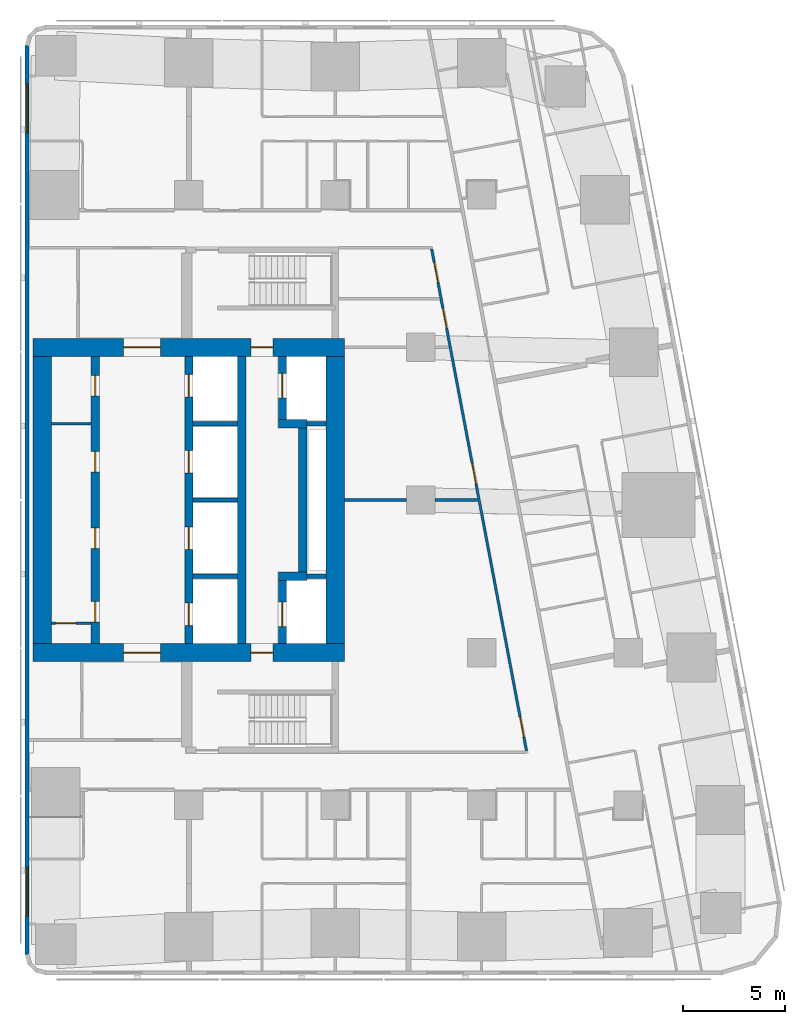
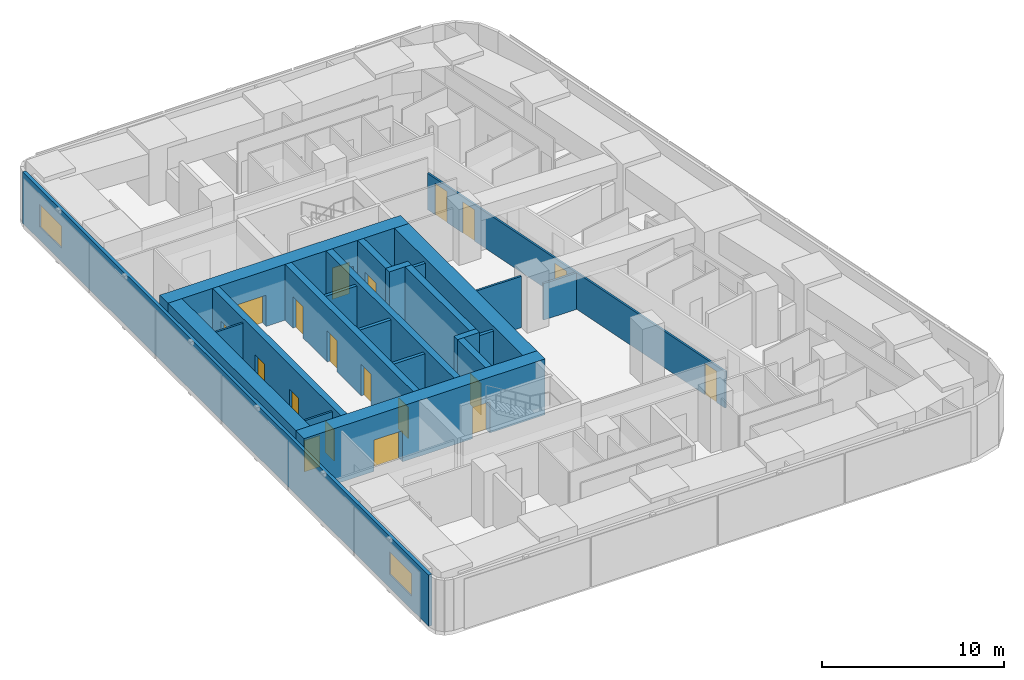
# One storey, part 4 of 10: 23 walls, 19 doors, 2 windows, 21 openings.
"""IFC4 building model written with IfcOpenShell, lengths in metres."""

import ifcopenshell
import ifcopenshell.guid

model = None  # the IFC model being written
_history = None  # IfcOwnerHistory: only IFC2X3 demands one
_inside = {}  # id of a spatial element -> (the spatial element, [elements in it])
_under = {}  # id of a project, library or spatial element -> (it, [spatial elements below it])
_declared = {}  # id of a project -> (the project, [libraries it declares])
_typed = {}  # id of a type object -> (the type object, [elements of that type])
_made_of = {}  # id of a material, layer set ... -> (it, [elements and type objects made of it])


def new_model(schema):
    """Start an empty IFC model of exactly this schema.

    Asked for "IFC4X3", IfcOpenShell would pick the latest addendum, in which some entities
    have other attributes; the version numbers below select the first issue.
    IFC2X3 requires an IfcOwnerHistory on every rooted entity: one is made here for all.
    """
    global model, _history
    if schema == "IFC4X3":
        model = ifcopenshell.file(schema_version=(4, 3, 0, 0))
    else:
        model = ifcopenshell.file(schema=schema)
    _inside.clear()
    _under.clear()
    _declared.clear()
    _typed.clear()
    _made_of.clear()
    _history = None
    if model.schema == "IFC2X3":
        org = make("IfcOrganization", Name="unknown")
        user = make(
            "IfcPersonAndOrganization",
            ThePerson=make("IfcPerson", FamilyName="unknown"),
            TheOrganization=org,
        )
        app = make(
            "IfcApplication",
            ApplicationDeveloper=org,
            Version="unknown",
            ApplicationFullName="unknown",
            ApplicationIdentifier="unknown",
        )
        _history = make(
            "IfcOwnerHistory",
            OwningUser=user,
            OwningApplication=app,
            ChangeAction="ADDED",
            CreationDate=0,
        )
    return model


def make(cls, **values):
    """One entity of the class cls with the attributes given. An attribute that is None is left unset."""
    return model.create_entity(
        cls, **{name: value for name, value in values.items() if value is not None}
    )


def rooted(cls, **values):
    """An entity with a GlobalId (a new one), such as an element, a storey or a relation."""
    return make(cls, GlobalId=ifcopenshell.guid.new(), OwnerHistory=_history, **values)


def si_unit(unit_type, name, prefix=None):
    """IfcSIUnit, for example si_unit("LENGTHUNIT", "METRE", prefix="MILLI")."""
    return make("IfcSIUnit", UnitType=unit_type, Prefix=prefix, Name=name)


def assignment(units):
    """IfcUnitAssignment: the units of a project."""
    return None if units is None else make("IfcUnitAssignment", Units=units)


def point(xyz):
    """IfcCartesianPoint."""
    return None if xyz is None else make("IfcCartesianPoint", Coordinates=xyz)


def direction(xyz):
    """IfcDirection."""
    return None if xyz is None else make("IfcDirection", DirectionRatios=xyz)


def frame(location, z_axis=None, x_axis=None):
    """IfcAxis2Placement3D, a coordinate frame: its origin and axes. An axis left out is left unset."""
    return make(
        "IfcAxis2Placement3D",
        Location=point(location),
        Axis=direction(z_axis),
        RefDirection=direction(x_axis),
    )


def frame_2d(location, x_axis=None):
    """IfcAxis2Placement2D, a coordinate frame in the plane: its origin and x axis."""
    return make(
        "IfcAxis2Placement2D", Location=point(location), RefDirection=direction(x_axis)
    )


def origin():
    """The frame at (0, 0, 0) with its axes left unset."""
    return frame((0.0, 0.0, 0.0))


def place(relative_to, where):
    """IfcLocalPlacement: puts the frame where relative to a parent placement (None: the world)."""
    return make(
        "IfcLocalPlacement", PlacementRelTo=relative_to, RelativePlacement=where
    )


def context(
    kind, dimensions, precision=None, world=None, true_north=None, identifier=None
):
    """IfcGeometricRepresentationContext, for example the 3D "Model" context."""
    return make(
        "IfcGeometricRepresentationContext",
        ContextIdentifier=identifier,
        ContextType=kind,
        CoordinateSpaceDimension=dimensions,
        Precision=precision,
        WorldCoordinateSystem=world,
        TrueNorth=true_north,
    )


def subcontext(parent, identifier, kind, view, scale=None):
    """IfcGeometricRepresentationSubContext, for example "Body" below "Model"."""
    return make(
        "IfcGeometricRepresentationSubContext",
        ContextIdentifier=identifier,
        ContextType=kind,
        ParentContext=parent,
        TargetScale=scale,
        TargetView=view,
    )


def project(units=None, contexts=None):
    """IfcProject with its units and contexts."""
    return rooted(
        "IfcProject",
        Name="project",
        RepresentationContexts=contexts,
        UnitsInContext=assignment(units),
    )


def spatial(cls, under=None, at=None, **own):
    """A site, building, storey or space (cls), placed at a placement, below another one or the project."""
    s = rooted(cls, ObjectPlacement=at, **own)
    if under is not None:
        _under.setdefault(under.id(), (under, []))[1].append(s)
    return s


def profile(cls, at=None, kind="AREA", **sizes):
    """A parametric profile (cls). Its sizes go by their IFC names, for example OverallWidth=200.0."""
    return make(cls, ProfileType=kind, Position=at, **sizes)


def rectangle(**sizes):
    """IfcRectangleProfileDef."""
    return profile("IfcRectangleProfileDef", **sizes)


def extrude(swept, where, along, depth):
    """IfcExtrudedAreaSolid: the profile swept, set in the frame where, extruded along a direction by depth."""
    return make(
        "IfcExtrudedAreaSolid",
        SweptArea=swept,
        Position=where,
        ExtrudedDirection=direction(along),
        Depth=depth,
    )


def shape(context_of_items, identifier, shape_type, items):
    """IfcShapeRepresentation: the items that make up one representation, for example the "Body"."""
    return make(
        "IfcShapeRepresentation",
        ContextOfItems=context_of_items,
        RepresentationIdentifier=identifier,
        RepresentationType=shape_type,
        Items=items,
    )


def material(Name=None, Category=None):
    """IfcMaterial."""
    return make("IfcMaterial", Name=Name, Category=Category)


def layer(
    of_material, thickness, ventilated=None, Name=None, Category=None, Priority=None
):
    """IfcMaterialLayer: one layer of a wall or slab, of a material (None: an air gap)."""
    return make(
        "IfcMaterialLayer",
        Material=of_material,
        LayerThickness=thickness,
        IsVentilated=ventilated,
        Name=Name,
        Category=Category,
        Priority=Priority,
    )


def layer_set(layers, Name=None):
    """IfcMaterialLayerSet."""
    return make("IfcMaterialLayerSet", MaterialLayers=layers, LayerSetName=Name)


def made_of(thing, what):
    """Note that an element or type object is made of a material, layer set ...; save() writes the relation."""
    if what is not None:
        _made_of.setdefault(what.id(), (what, []))[1].append(thing)
    return thing


def type_object(cls, material=None, **own):
    """A type object (cls), such as IfcWallType, which elements share."""
    return made_of(rooted(cls, **own), material)


def element(
    cls,
    number,
    at=None,
    inside=None,
    cuts=None,
    type_object=None,
    material=None,
    context=None,
    identifier="Body",
    shape_type=None,
    held_by="IfcProductDefinitionShape",
    body=None,
    shapes=None,
    **own,
):
    """One element of the class cls, such as IfcWall. Its Tag is "e" and its number.

    at: its placement. inside: the storey or other place that contains it. cuts: it is an
    opening in that element (IfcRelVoidsElement). A single representation is given by context,
    identifier, shape_type and body (its items); several are given by shapes. held_by: the class
    of the entity that holds the representations. save() writes the other relations.
    """
    e = rooted(cls, Tag="e%d" % number, ObjectPlacement=at, **own)
    if body is not None:
        shapes = [shape(context, identifier, shape_type, body)]
    if shapes is not None:
        e.Representation = make(held_by, Representations=shapes)
    if inside is not None:
        _inside.setdefault(inside.id(), (inside, []))[1].append(e)
    if cuts is not None:
        rooted(
            "IfcRelVoidsElement", RelatingBuildingElement=cuts, RelatedOpeningElement=e
        )
    if type_object is not None:
        _typed.setdefault(type_object.id(), (type_object, []))[1].append(e)
    return made_of(e, material)


def fill(opening, filler):
    """IfcRelFillsElement: the door or window that sits in an opening."""
    return rooted(
        "IfcRelFillsElement",
        RelatingOpeningElement=opening,
        RelatedBuildingElement=filler,
    )


def aggregate(whole, parts):
    """IfcRelAggregates: a whole, such as a stair, and the parts it consists of."""
    return rooted("IfcRelAggregates", RelatingObject=whole, RelatedObjects=parts)


def save(model, path):
    """Write the relations noted so far, then the file.

    IfcRelAggregates (storeys below a building ...), IfcRelContainedInSpatialStructure (elements
    in a storey), IfcRelDefinesByType, IfcRelAssociatesMaterial and IfcRelDeclares: one each for
    every whole, place, type object, material and project.
    """
    for whole, parts in _under.values():
        aggregate(whole, parts)
    for where, things in _inside.values():
        rooted(
            "IfcRelContainedInSpatialStructure",
            RelatedElements=things,
            RelatingStructure=where,
        )
    for kind, things in _typed.values():
        rooted("IfcRelDefinesByType", RelatedObjects=things, RelatingType=kind)
    for what, things in _made_of.values():
        rooted("IfcRelAssociatesMaterial", RelatedObjects=things, RelatingMaterial=what)
    for by, libraries in _declared.values():
        rooted("IfcRelDeclares", RelatingContext=by, RelatedDefinitions=libraries)
    model.write(path)


model = new_model("IFC4")

# Units and contexts
model_context = context("Model", 3, precision=1e-05, world=origin(), true_north=direction((0.0, 1.0)))
body_context = subcontext(model_context, "Body", "Model", "MODEL_VIEW")
ifc_project = project(units=[si_unit("LENGTHUNIT", "METRE"), si_unit("AREAUNIT", "SQUARE_METRE"), si_unit("VOLUMEUNIT", "CUBIC_METRE"), si_unit("PLANEANGLEUNIT", "RADIAN"), si_unit("MASSUNIT", "GRAM", prefix="KILO")], contexts=[model_context])

# Site, building, storey
site_placement = place(None, origin())
site = spatial("IfcSite", under=ifc_project, at=site_placement, CompositionType="ELEMENT")
building_placement = place(site_placement, origin())
building = spatial("IfcBuilding", under=site, at=building_placement, Name="Sheger Commons Tower", CompositionType="ELEMENT")
storey_placement = place(building_placement, frame((0.0, 0.0, 242.449951171875)))
storey = spatial("IfcBuildingStorey", under=building, at=storey_placement, Name="L62", CompositionType="ELEMENT", Elevation=242.449951171875)

# Wall, openings, doors
ifc_material_1 = material(Name="Concrete C50/60", Category="concrete")
ifc_layer_1 = layer(ifc_material_1, 0.39990234375)
ifc_layer_set_1 = layer_set([ifc_layer_1], Name="CORE INNER WALL 400")
wall_type_1 = type_object("IfcWallType", Name="CORE INNER WALL 400", PredefinedType="SHEAR", material=ifc_layer_set_1)
wall_1_placement = place(storey_placement, frame((17.0, 15.449951171875, 0.0), z_axis=(0.0, 0.0, 1.0), x_axis=(0.0, 1.0, 0.0)))
wall_1 = element("IfcWall", 1, at=wall_1_placement, inside=storey, type_object=wall_type_1, Name="Core inner wall A L62", PredefinedType="SHEAR", context=body_context, shape_type="SweptSolid", body=[
    extrude(rectangle(XDim=14.10009765625, YDim=0.39990234375, at=frame_2d((7.050048828125, 0.0))), origin(), (0.0, 0.0, 1.0), 3.75),
])
opening_1_placement = place(wall_1_placement, frame((1.050048828125, 0.0, 0.0)))
opening_1 = element("IfcOpeningElement", 2, at=opening_1_placement, cuts=wall_1, Name="Opening D4", PredefinedType="OPENING", context=body_context, shape_type="SweptSolid", body=[
    extrude(rectangle(XDim=1.0, YDim=2.10009765625, at=frame_2d((0.5, 1.050048828125))), frame((0.0, 0.2099609375, 0.0), z_axis=(0.0, -1.0, 0.0), x_axis=(1.0, 0.0, 0.0)), (0.0, 0.0, 1.0), 0.419921875),
])
opening_2_placement = place(wall_1_placement, frame((4.675048828125, 0.0, 0.0)))
opening_2 = element("IfcOpeningElement", 3, at=opening_2_placement, cuts=wall_1, Name="Opening D4", PredefinedType="OPENING", context=body_context, shape_type="SweptSolid", body=[
    extrude(rectangle(XDim=1.0, YDim=2.10009765625, at=frame_2d((0.5, 1.050048828125))), frame((0.0, 0.2099609375, 0.0), z_axis=(0.0, -1.0, 0.0), x_axis=(1.0, 0.0, 0.0)), (0.0, 0.0, 1.0), 0.419921875),
])
opening_3_placement = place(wall_1_placement, frame((8.425048828125, 0.0, 0.0)))
opening_3 = element("IfcOpeningElement", 4, at=opening_3_placement, cuts=wall_1, Name="Opening D4", PredefinedType="OPENING", context=body_context, shape_type="SweptSolid", body=[
    extrude(rectangle(XDim=1.0, YDim=2.10009765625, at=frame_2d((0.5, 1.050048828125))), frame((0.0, 0.2099609375, 0.0), z_axis=(0.0, -1.0, 0.0), x_axis=(1.0, 0.0, 0.0)), (0.0, 0.0, 1.0), 0.419921875),
])
opening_4_placement = place(wall_1_placement, frame((12.175048828125, 0.0, 0.0)))
opening_4 = element("IfcOpeningElement", 5, at=opening_4_placement, cuts=wall_1, Name="Opening D4", PredefinedType="OPENING", context=body_context, shape_type="SweptSolid", body=[
    extrude(rectangle(XDim=1.0, YDim=2.10009765625, at=frame_2d((0.5, 1.050048828125))), frame((0.0, 0.2099609375, 0.0), z_axis=(0.0, -1.0, 0.0), x_axis=(1.0, 0.0, 0.0)), (0.0, 0.0, 1.0), 0.419921875),
])
ifc_material_2 = material(Name="Steel door set, fire rated", Category="steel")
door_type_1 = type_object("IfcDoorType", Name="SERVICE DOOR 1000x2100", OperationType="NOTDEFINED", PredefinedType="DOOR", material=ifc_material_2)
door_1_placement = place(opening_1_placement, origin())
door_1 = element("IfcDoor", 6, at=door_1_placement, inside=storey, type_object=door_type_1, Name="Maintenance store door", OperationType="SINGLE_SWING_LEFT", OverallHeight=2.10009765625, OverallWidth=1.0, PredefinedType="DOOR", context=body_context, shape_type="SweptSolid", body=[
    extrude(rectangle(XDim=1.0, YDim=2.10009765625, at=frame_2d((0.5, 1.050048828125))), frame((0.0, 0.02490234375, 0.0), z_axis=(0.0, -1.0, 0.0), x_axis=(1.0, 0.0, 0.0)), (0.0, 0.0, 1.0), 0.050048828125),
])
fill(opening_1, door_1)
door_2_placement = place(opening_2_placement, origin())
door_2 = element("IfcDoor", 7, at=door_2_placement, inside=storey, type_object=door_type_1, Name="Maintenance store door", OperationType="SINGLE_SWING_LEFT", OverallHeight=2.10009765625, OverallWidth=1.0, PredefinedType="DOOR", context=body_context, shape_type="SweptSolid", body=[
    extrude(rectangle(XDim=1.0, YDim=2.10009765625, at=frame_2d((0.5, 1.050048828125))), frame((0.0, 0.02490234375, 0.0), z_axis=(0.0, -1.0, 0.0), x_axis=(1.0, 0.0, 0.0)), (0.0, 0.0, 1.0), 0.050048828125),
])
fill(opening_2, door_2)
door_3_placement = place(opening_3_placement, origin())
door_3 = element("IfcDoor", 8, at=door_3_placement, inside=storey, type_object=door_type_1, Name="Maintenance store door", OperationType="SINGLE_SWING_RIGHT", OverallHeight=2.10009765625, OverallWidth=1.0, PredefinedType="DOOR", context=body_context, shape_type="SweptSolid", body=[
    extrude(rectangle(XDim=1.0, YDim=2.10009765625, at=frame_2d((0.5, 1.050048828125))), frame((0.0, 0.02490234375, 0.0), z_axis=(0.0, -1.0, 0.0), x_axis=(1.0, 0.0, 0.0)), (0.0, 0.0, 1.0), 0.050048828125),
])
fill(opening_3, door_3)
door_4_placement = place(opening_4_placement, origin())
door_4 = element("IfcDoor", 9, at=door_4_placement, inside=storey, type_object=door_type_1, Name="Staff WC door", OperationType="SINGLE_SWING_RIGHT", OverallHeight=2.10009765625, OverallWidth=1.0, PredefinedType="DOOR", context=body_context, shape_type="SweptSolid", body=[
    extrude(rectangle(XDim=1.0, YDim=2.10009765625, at=frame_2d((0.5, 1.050048828125))), frame((0.0, 0.02490234375, 0.0), z_axis=(0.0, -1.0, 0.0), x_axis=(1.0, 0.0, 0.0)), (0.0, 0.0, 1.0), 0.050048828125),
])
fill(opening_4, door_4)

wall_2_placement = place(storey_placement, frame((21.60009765625, 15.449951171875, 0.0), z_axis=(0.0, 0.0, 1.0), x_axis=(0.0, 1.0, 0.0)))
wall_2 = element("IfcWall", 10, at=wall_2_placement, inside=storey, type_object=wall_type_1, Name="Core inner wall L L62", PredefinedType="SHEAR", context=body_context, shape_type="SweptSolid", body=[
    extrude(rectangle(XDim=14.10009765625, YDim=0.39990234375, at=frame_2d((7.050048828125, 0.0))), origin(), (0.0, 0.0, 1.0), 3.75),
])
opening_5_placement = place(wall_2_placement, frame((0.875, 0.0, 0.0)))
opening_5 = element("IfcOpeningElement", 11, at=opening_5_placement, cuts=wall_2, Name="Opening LD", PredefinedType="OPENING", context=body_context, shape_type="SweptSolid", body=[
    extrude(rectangle(XDim=1.10009765625, YDim=2.10009765625, at=frame_2d((0.550048828125, 1.050048828125))), frame((0.0, 0.2099609375, 0.0), z_axis=(0.0, -1.0, 0.0), x_axis=(1.0, 0.0, 0.0)), (0.0, 0.0, 1.0), 0.419921875),
])
opening_6_placement = place(wall_2_placement, frame((4.625, 0.0, 0.0)))
opening_6 = element("IfcOpeningElement", 12, at=opening_6_placement, cuts=wall_2, Name="Opening LD", PredefinedType="OPENING", context=body_context, shape_type="SweptSolid", body=[
    extrude(rectangle(XDim=1.10009765625, YDim=2.10009765625, at=frame_2d((0.550048828125, 1.050048828125))), frame((0.0, 0.2099609375, 0.0), z_axis=(0.0, -1.0, 0.0), x_axis=(1.0, 0.0, 0.0)), (0.0, 0.0, 1.0), 0.419921875),
])
opening_7_placement = place(wall_2_placement, frame((8.375, 0.0, 0.0)))
opening_7 = element("IfcOpeningElement", 13, at=opening_7_placement, cuts=wall_2, Name="Opening LD", PredefinedType="OPENING", context=body_context, shape_type="SweptSolid", body=[
    extrude(rectangle(XDim=1.10009765625, YDim=2.10009765625, at=frame_2d((0.550048828125, 1.050048828125))), frame((0.0, 0.2099609375, 0.0), z_axis=(0.0, -1.0, 0.0), x_axis=(1.0, 0.0, 0.0)), (0.0, 0.0, 1.0), 0.419921875),
])
opening_8_placement = place(wall_2_placement, frame((12.125, 0.0, 0.0)))
opening_8 = element("IfcOpeningElement", 14, at=opening_8_placement, cuts=wall_2, Name="Opening LD", PredefinedType="OPENING", context=body_context, shape_type="SweptSolid", body=[
    extrude(rectangle(XDim=1.10009765625, YDim=2.10009765625, at=frame_2d((0.550048828125, 1.050048828125))), frame((0.0, 0.2099609375, 0.0), z_axis=(0.0, -1.0, 0.0), x_axis=(1.0, 0.0, 0.0)), (0.0, 0.0, 1.0), 0.419921875),
])
ifc_material_3 = material(Name="Steel door set, fire rated", Category="steel")
door_type_2 = type_object("IfcDoorType", Name="LIFT LANDING DOOR 1100x2100", OperationType="DOUBLE_DOOR_SLIDING", PredefinedType="DOOR", material=ifc_material_3)
door_5_placement = place(opening_5_placement, origin())
door_5 = element("IfcDoor", 15, at=door_5_placement, inside=storey, type_object=door_type_2, Name="Lift LB1 landing door", OperationType="DOUBLE_DOOR_SLIDING", OverallHeight=2.10009765625, OverallWidth=1.10009765625, PredefinedType="DOOR", context=body_context, shape_type="SweptSolid", body=[
    extrude(rectangle(XDim=1.10009765625, YDim=2.10009765625, at=frame_2d((0.550048828125, 1.050048828125))), frame((0.0, 0.02490234375, 0.0), z_axis=(0.0, -1.0, 0.0), x_axis=(1.0, 0.0, 0.0)), (0.0, 0.0, 1.0), 0.050048828125),
])
fill(opening_5, door_5)
door_6_placement = place(opening_6_placement, origin())
door_6 = element("IfcDoor", 16, at=door_6_placement, inside=storey, type_object=door_type_2, Name="Lift LB2 landing door", OperationType="DOUBLE_DOOR_SLIDING", OverallHeight=2.10009765625, OverallWidth=1.10009765625, PredefinedType="DOOR", context=body_context, shape_type="SweptSolid", body=[
    extrude(rectangle(XDim=1.10009765625, YDim=2.10009765625, at=frame_2d((0.550048828125, 1.050048828125))), frame((0.0, 0.02490234375, 0.0), z_axis=(0.0, -1.0, 0.0), x_axis=(1.0, 0.0, 0.0)), (0.0, 0.0, 1.0), 0.050048828125),
])
fill(opening_6, door_6)
door_7_placement = place(opening_7_placement, origin())
door_7 = element("IfcDoor", 17, at=door_7_placement, inside=storey, type_object=door_type_2, Name="Lift LB3 landing door", OperationType="DOUBLE_DOOR_SLIDING", OverallHeight=2.10009765625, OverallWidth=1.10009765625, PredefinedType="DOOR", context=body_context, shape_type="SweptSolid", body=[
    extrude(rectangle(XDim=1.10009765625, YDim=2.10009765625, at=frame_2d((0.550048828125, 1.050048828125))), frame((0.0, 0.02490234375, 0.0), z_axis=(0.0, -1.0, 0.0), x_axis=(1.0, 0.0, 0.0)), (0.0, 0.0, 1.0), 0.050048828125),
])
fill(opening_7, door_7)
door_8_placement = place(opening_8_placement, origin())
door_8 = element("IfcDoor", 18, at=door_8_placement, inside=storey, type_object=door_type_2, Name="Lift LB4 landing door", OperationType="DOUBLE_DOOR_SLIDING", OverallHeight=2.10009765625, OverallWidth=1.10009765625, PredefinedType="DOOR", context=body_context, shape_type="SweptSolid", body=[
    extrude(rectangle(XDim=1.10009765625, YDim=2.10009765625, at=frame_2d((0.550048828125, 1.050048828125))), frame((0.0, 0.02490234375, 0.0), z_axis=(0.0, -1.0, 0.0), x_axis=(1.0, 0.0, 0.0)), (0.0, 0.0, 1.0), 0.050048828125),
])
fill(opening_8, door_8)

# Wall
wall_3_placement = place(storey_placement, frame((24.199951171875, 15.449951171875, 0.0), z_axis=(0.0, 0.0, 1.0), x_axis=(0.0, 1.0, 0.0)))
element("IfcWall", 19, at=wall_3_placement, inside=storey, type_object=wall_type_1, Name="Core inner wall B L62", PredefinedType="SHEAR", context=body_context, shape_type="SweptSolid", body=[
    extrude(rectangle(XDim=14.10009765625, YDim=0.39990234375, at=frame_2d((7.050048828125, 0.0))), origin(), (0.0, 0.0, 1.0), 3.75),
])

# Wall, opening, door
wall_4_placement = place(storey_placement, frame((26.199951171875, 15.449951171875, 0.0), z_axis=(0.0, 0.0, 1.0), x_axis=(0.0, 1.0, 0.0)))
wall_4 = element("IfcWall", 20, at=wall_4_placement, inside=storey, type_object=wall_type_1, Name="Core inner wall F L62", PredefinedType="SHEAR", context=body_context, shape_type="SweptSolid", body=[
    extrude(rectangle(XDim=3.10009765625, YDim=0.39990234375, at=frame_2d((1.550048828125, 0.0))), origin(), (0.0, 0.0, 1.0), 3.75),
])
opening_9_placement = place(wall_4_placement, frame((0.824951171875, 0.0, 0.0)))
opening_9 = element("IfcOpeningElement", 21, at=opening_9_placement, cuts=wall_4, Name="Opening LD2", PredefinedType="OPENING", context=body_context, shape_type="SweptSolid", body=[
    extrude(rectangle(XDim=1.199951171875, YDim=2.10009765625, at=frame_2d((0.60009765625, 1.050048828125))), frame((0.0, 0.2099609375, 0.0), z_axis=(0.0, -1.0, 0.0), x_axis=(1.0, 0.0, 0.0)), (0.0, 0.0, 1.0), 0.419921875),
])
ifc_material_4 = material(Name="Steel door set, fire rated", Category="steel")
door_type_3 = type_object("IfcDoorType", Name="FIREFIGHTING LIFT LANDING DOOR 1200x2100", OperationType="DOUBLE_DOOR_SLIDING", PredefinedType="DOOR", material=ifc_material_4)
door_9_placement = place(opening_9_placement, origin())
door_9 = element("IfcDoor", 22, at=door_9_placement, inside=storey, type_object=door_type_3, Name="Lift FL1 landing door", OperationType="DOUBLE_DOOR_SLIDING", OverallHeight=2.10009765625, OverallWidth=1.199951171875, PredefinedType="DOOR", context=body_context, shape_type="SweptSolid", body=[
    extrude(rectangle(XDim=1.199951171875, YDim=2.10009765625, at=frame_2d((0.60009765625, 1.050048828125))), frame((0.0, 0.02490234375, 0.0), z_axis=(0.0, -1.0, 0.0), x_axis=(1.0, 0.0, 0.0)), (0.0, 0.0, 1.0), 0.050048828125),
])
fill(opening_9, door_9)

# Walls
wall_5_placement = place(storey_placement, frame((26.0, 18.75, 0.0), z_axis=(0.0, 0.0, 1.0), x_axis=(1.0, 0.0, 0.0)))
element("IfcWall", 23, at=wall_5_placement, inside=storey, type_object=wall_type_1, Name="Core inner wall F south return L62", PredefinedType="SHEAR", context=body_context, shape_type="SweptSolid", body=[
    extrude(rectangle(XDim=1.39990234375, YDim=0.39990234375, at=frame_2d((0.699951171875, 0.0))), origin(), (0.0, 0.0, 1.0), 3.75),
])
wall_6_placement = place(storey_placement, frame((27.199951171875, 18.949951171875, 0.0), z_axis=(0.0, 0.0, 1.0), x_axis=(0.0, 1.0, 0.0)))
element("IfcWall", 24, at=wall_6_placement, inside=storey, type_object=wall_type_1, Name="Core inner wall F middle L62", PredefinedType="SHEAR", context=body_context, shape_type="SweptSolid", body=[
    extrude(rectangle(XDim=7.10009765625, YDim=0.39990234375, at=frame_2d((3.550048828125, 0.0))), origin(), (0.0, 0.0, 1.0), 3.75),
])
wall_7_placement = place(storey_placement, frame((26.0, 26.25, 0.0), z_axis=(0.0, 0.0, 1.0), x_axis=(1.0, 0.0, 0.0)))
element("IfcWall", 25, at=wall_7_placement, inside=storey, type_object=wall_type_1, Name="Core inner wall F north return L62", PredefinedType="SHEAR", context=body_context, shape_type="SweptSolid", body=[
    extrude(rectangle(XDim=1.39990234375, YDim=0.39990234375, at=frame_2d((0.699951171875, 0.0))), origin(), (0.0, 0.0, 1.0), 3.75),
])

# Wall, opening, door
wall_8_placement = place(storey_placement, frame((26.199951171875, 26.449951171875, 0.0), z_axis=(0.0, 0.0, 1.0), x_axis=(0.0, 1.0, 0.0)))
wall_8 = element("IfcWall", 26, at=wall_8_placement, inside=storey, type_object=wall_type_1, Name="Core inner wall F north L62", PredefinedType="SHEAR", context=body_context, shape_type="SweptSolid", body=[
    extrude(rectangle(XDim=3.10009765625, YDim=0.39990234375, at=frame_2d((1.550048828125, 0.0))), origin(), (0.0, 0.0, 1.0), 3.75),
])
opening_10_placement = place(wall_8_placement, frame((1.074951171875, 0.0, 0.0)))
opening_10 = element("IfcOpeningElement", 27, at=opening_10_placement, cuts=wall_8, Name="Opening LD2", PredefinedType="OPENING", context=body_context, shape_type="SweptSolid", body=[
    extrude(rectangle(XDim=1.199951171875, YDim=2.10009765625, at=frame_2d((0.60009765625, 1.050048828125))), frame((0.0, 0.2099609375, 0.0), z_axis=(0.0, -1.0, 0.0), x_axis=(1.0, 0.0, 0.0)), (0.0, 0.0, 1.0), 0.419921875),
])
door_10_placement = place(opening_10_placement, origin())
door_10 = element("IfcDoor", 28, at=door_10_placement, inside=storey, type_object=door_type_3, Name="Lift FL2 landing door", OperationType="DOUBLE_DOOR_SLIDING", OverallHeight=2.10009765625, OverallWidth=1.199951171875, PredefinedType="DOOR", context=body_context, shape_type="SweptSolid", body=[
    extrude(rectangle(XDim=1.199951171875, YDim=2.10009765625, at=frame_2d((0.60009765625, 1.050048828125))), frame((0.0, 0.02490234375, 0.0), z_axis=(0.0, -1.0, 0.0), x_axis=(1.0, 0.0, 0.0)), (0.0, 0.0, 1.0), 0.050048828125),
])
fill(opening_10, door_10)

# Wall, openings, doors
ifc_material_5 = material(Name="Concrete C50/60", Category="concrete")
ifc_layer_2 = layer(ifc_material_5, 0.89990234375)
ifc_layer_set_2 = layer_set([ifc_layer_2], Name="CORE WALL 900")
wall_type_2 = type_object("IfcWallType", Name="CORE WALL 900", PredefinedType="SHEAR", material=ifc_layer_set_2)
wall_9_placement = place(storey_placement, frame((13.949951171875, 15.0, 0.0), z_axis=(0.0, 0.0, 1.0), x_axis=(1.0, 0.0, 0.0)))
wall_9 = element("IfcWall", 29, at=wall_9_placement, inside=storey, type_object=wall_type_2, Name="Core wall south L62", PredefinedType="SHEAR", context=body_context, shape_type="SweptSolid", body=[
    extrude(rectangle(XDim=15.300048828125, YDim=0.89990234375, at=frame_2d((7.64990234375, 0.0))), origin(), (0.0, 0.0, 1.0), 3.75),
])
opening_11_placement = place(wall_9_placement, frame((4.449951171875, 0.0, 0.0)))
opening_11 = element("IfcOpeningElement", 30, at=opening_11_placement, cuts=wall_9, Name="Opening D6", PredefinedType="OPENING", context=body_context, shape_type="SweptSolid", body=[
    extrude(rectangle(XDim=1.800048828125, YDim=2.10009765625, at=frame_2d((0.89990234375, 1.050048828125))), frame((0.0, 0.4599609375, 0.0), z_axis=(0.0, -1.0, 0.0), x_axis=(1.0, 0.0, 0.0)), (0.0, 0.0, 1.0), 0.919921875),
])
opening_12_placement = place(wall_9_placement, frame((10.699951171875, 0.0, 0.0)))
opening_12 = element("IfcOpeningElement", 31, at=opening_12_placement, cuts=wall_9, Name="Opening D5", PredefinedType="OPENING", context=body_context, shape_type="SweptSolid", body=[
    extrude(rectangle(XDim=1.10009765625, YDim=2.10009765625, at=frame_2d((0.550048828125, 1.050048828125))), frame((0.0, 0.4599609375, 0.0), z_axis=(0.0, -1.0, 0.0), x_axis=(1.0, 0.0, 0.0)), (0.0, 0.0, 1.0), 0.919921875),
])
ifc_material_6 = material(Name="Steel door set, fire rated", Category="steel")
door_type_4 = type_object("IfcDoorType", Name="LOBBY DOUBLE DOOR 1800x2100", OperationType="DOUBLE_DOOR_SINGLE_SWING", PredefinedType="DOOR", material=ifc_material_6)
door_11_placement = place(opening_11_placement, origin())
door_11 = element("IfcDoor", 32, at=door_11_placement, inside=storey, type_object=door_type_4, Name="Lift lobby door", OperationType="DOUBLE_DOOR_SINGLE_SWING", OverallHeight=2.10009765625, OverallWidth=1.800048828125, PredefinedType="DOOR", context=body_context, shape_type="SweptSolid", body=[
    extrude(rectangle(XDim=1.800048828125, YDim=2.10009765625, at=frame_2d((0.89990234375, 1.050048828125))), frame((0.0, 0.02490234375, 0.0), z_axis=(0.0, -1.0, 0.0), x_axis=(1.0, 0.0, 0.0)), (0.0, 0.0, 1.0), 0.050048828125),
])
fill(opening_11, door_11)
ifc_material_7 = material(Name="Steel door set, fire rated", Category="steel")
door_type_5 = type_object("IfcDoorType", Name="STAIR DOOR 1100x2100", OperationType="NOTDEFINED", PredefinedType="DOOR", material=ifc_material_7)
door_12_placement = place(opening_12_placement, origin())
door_12 = element("IfcDoor", 33, at=door_12_placement, inside=storey, type_object=door_type_5, Name="Fire-fighting lobby door", OperationType="SINGLE_SWING_LEFT", OverallHeight=2.10009765625, OverallWidth=1.10009765625, PredefinedType="DOOR", context=body_context, shape_type="SweptSolid", body=[
    extrude(rectangle(XDim=1.10009765625, YDim=2.10009765625, at=frame_2d((0.550048828125, 1.050048828125))), frame((0.0, 0.02490234375, 0.0), z_axis=(0.0, -1.0, 0.0), x_axis=(1.0, 0.0, 0.0)), (0.0, 0.0, 1.0), 0.050048828125),
])
fill(opening_12, door_12)

wall_10_placement = place(storey_placement, frame((13.949951171875, 30.0, 0.0), z_axis=(0.0, 0.0, 1.0), x_axis=(1.0, 0.0, 0.0)))
wall_10 = element("IfcWall", 34, at=wall_10_placement, inside=storey, type_object=wall_type_2, Name="Core wall north L62", PredefinedType="SHEAR", context=body_context, shape_type="SweptSolid", body=[
    extrude(rectangle(XDim=15.300048828125, YDim=0.89990234375, at=frame_2d((7.64990234375, 0.0))), origin(), (0.0, 0.0, 1.0), 3.75),
])
opening_13_placement = place(wall_10_placement, frame((4.449951171875, 0.0, 0.0)))
opening_13 = element("IfcOpeningElement", 35, at=opening_13_placement, cuts=wall_10, Name="Opening D6", PredefinedType="OPENING", context=body_context, shape_type="SweptSolid", body=[
    extrude(rectangle(XDim=1.800048828125, YDim=2.10009765625, at=frame_2d((0.89990234375, 1.050048828125))), frame((0.0, 0.4599609375, 0.0), z_axis=(0.0, -1.0, 0.0), x_axis=(1.0, 0.0, 0.0)), (0.0, 0.0, 1.0), 0.919921875),
])
opening_14_placement = place(wall_10_placement, frame((10.699951171875, 0.0, 0.0)))
opening_14 = element("IfcOpeningElement", 36, at=opening_14_placement, cuts=wall_10, Name="Opening D5", PredefinedType="OPENING", context=body_context, shape_type="SweptSolid", body=[
    extrude(rectangle(XDim=1.10009765625, YDim=2.10009765625, at=frame_2d((0.550048828125, 1.050048828125))), frame((0.0, 0.4599609375, 0.0), z_axis=(0.0, -1.0, 0.0), x_axis=(1.0, 0.0, 0.0)), (0.0, 0.0, 1.0), 0.919921875),
])
door_13_placement = place(opening_13_placement, origin())
door_13 = element("IfcDoor", 37, at=door_13_placement, inside=storey, type_object=door_type_4, Name="Lift lobby door", OperationType="DOUBLE_DOOR_SINGLE_SWING", OverallHeight=2.10009765625, OverallWidth=1.800048828125, PredefinedType="DOOR", context=body_context, shape_type="SweptSolid", body=[
    extrude(rectangle(XDim=1.800048828125, YDim=2.10009765625, at=frame_2d((0.89990234375, 1.050048828125))), frame((0.0, 0.02490234375, 0.0), z_axis=(0.0, -1.0, 0.0), x_axis=(1.0, 0.0, 0.0)), (0.0, 0.0, 1.0), 0.050048828125),
])
fill(opening_13, door_13)
door_14_placement = place(opening_14_placement, origin())
door_14 = element("IfcDoor", 38, at=door_14_placement, inside=storey, type_object=door_type_5, Name="Fire-fighting lobby door", OperationType="SINGLE_SWING_LEFT", OverallHeight=2.10009765625, OverallWidth=1.10009765625, PredefinedType="DOOR", context=body_context, shape_type="SweptSolid", body=[
    extrude(rectangle(XDim=1.10009765625, YDim=2.10009765625, at=frame_2d((0.550048828125, 1.050048828125))), frame((0.0, 0.02490234375, 0.0), z_axis=(0.0, -1.0, 0.0), x_axis=(1.0, 0.0, 0.0)), (0.0, 0.0, 1.0), 0.050048828125),
])
fill(opening_14, door_14)

# Walls
for number, where, z_axis, x_axis, name in (
    (39, (14.39990234375, 15.449951171875, 0.0), (0.0, 0.0, 1.0), (0.0, 1.0, 0.0), "Core wall west L62"),
    (40, (28.800048828125, 15.449951171875, 0.0), (0.0, 0.0, 1.0), (0.0, 1.0, 0.0), "Core wall east L62"),
):
    element("IfcWall", number, at=place(storey_placement, frame(where, z_axis=z_axis, x_axis=x_axis)), inside=storey, type_object=wall_type_2, Name=name, PredefinedType="SHEAR", context=body_context, shape_type="SweptSolid", body=[
        extrude(rectangle(XDim=14.10009765625, YDim=0.89990234375, at=frame_2d((7.050048828125, 0.0))), origin(), (0.0, 0.0, 1.0), 3.75),
    ])

# Wall, openings, windows
ifc_material_8 = material(Name="Rendered concrete block masonry, dark grey", Category="masonry")
ifc_layer_3 = layer(ifc_material_8, 0.199951171875)
ifc_layer_set_3 = layer_set([ifc_layer_3], Name="FACADE WALL 200")
wall_type_3 = type_object("IfcWallType", Name="FACADE WALL 200", PredefinedType="SOLIDWALL", material=ifc_layer_set_3)
wall_11_placement = place(storey_placement, frame((13.64990234375, 44.8369140625, 0.0), z_axis=(0.0, 0.0, 1.0), x_axis=(0.0, -1.0, 0.0)))
wall_11 = element("IfcWall", 41, at=wall_11_placement, inside=storey, type_object=wall_type_3, Name="Facade wall L62", PredefinedType="SOLIDWALL", context=body_context, shape_type="SweptSolid", body=[
    extrude(rectangle(XDim=44.673828125, YDim=0.199951171875, at=frame_2d((22.3369140625, 0.0))), origin(), (0.0, 0.0, 1.0), 3.449951171875),
])
opening_15_placement = place(wall_11_placement, frame((1.888916015625, 0.0, 0.89990234375)))
opening_15 = element("IfcOpeningElement", 42, at=opening_15_placement, cuts=wall_11, Name="Opening W1", PredefinedType="OPENING", context=body_context, shape_type="SweptSolid", body=[
    extrude(rectangle(XDim=2.39990234375, YDim=1.5, at=frame_2d((1.199951171875, 0.75))), frame((0.0, 0.10986328125, 0.0), z_axis=(0.0, -1.0, 0.0), x_axis=(1.0, 0.0, 0.0)), (0.0, 0.0, 1.0), 0.219970703125),
])
opening_16_placement = place(wall_11_placement, frame((40.385009765625, 0.0, 0.89990234375)))
opening_16 = element("IfcOpeningElement", 43, at=opening_16_placement, cuts=wall_11, Name="Opening W1", PredefinedType="OPENING", context=body_context, shape_type="SweptSolid", body=[
    extrude(rectangle(XDim=2.39990234375, YDim=1.5, at=frame_2d((1.199951171875, 0.75))), frame((0.0, 0.10986328125, 0.0), z_axis=(0.0, -1.0, 0.0), x_axis=(1.0, 0.0, 0.0)), (0.0, 0.0, 1.0), 0.219970703125),
])
ifc_material_9 = material(Name="Black aluminium frame, dark tinted double glazing", Category="aluminium")
window_type = type_object("IfcWindowType", Name="WINDOW W1 2400x1500", PartitioningType="SINGLE_PANEL", PredefinedType="WINDOW", material=ifc_material_9)
window_1_placement = place(opening_15_placement, origin())
window_1 = element("IfcWindow", 44, at=window_1_placement, inside=storey, type_object=window_type, Name="Window W1 2400X1500", OverallHeight=1.5, OverallWidth=2.39990234375, PartitioningType="SINGLE_PANEL", PredefinedType="WINDOW", context=body_context, shape_type="SweptSolid", body=[
    extrude(rectangle(XDim=2.39990234375, YDim=1.5, at=frame_2d((1.199951171875, 0.75))), frame((0.0, 0.030029296875, 0.0), z_axis=(0.0, -1.0, 0.0), x_axis=(1.0, 0.0, 0.0)), (0.0, 0.0, 1.0), 0.06005859375),
])
fill(opening_15, window_1)
window_2_placement = place(opening_16_placement, origin())
window_2 = element("IfcWindow", 45, at=window_2_placement, inside=storey, type_object=window_type, Name="Window W1 2400X1500", OverallHeight=1.5, OverallWidth=2.39990234375, PartitioningType="SINGLE_PANEL", PredefinedType="WINDOW", context=body_context, shape_type="SweptSolid", body=[
    extrude(rectangle(XDim=2.39990234375, YDim=1.5, at=frame_2d((1.199951171875, 0.75))), frame((0.0, 0.030029296875, 0.0), z_axis=(0.0, -1.0, 0.0), x_axis=(1.0, 0.0, 0.0)), (0.0, 0.0, 1.0), 0.06005859375),
])
fill(opening_16, window_2)

# Wall, openings, doors
ifc_material_10 = material(Name="Gypsum board on steel studs, two layers each side, fire rated", Category="steel")
ifc_layer_4 = layer(ifc_material_10, 0.125)
ifc_layer_set_4 = layer_set([ifc_layer_4], Name="SERVICE WALL 125")
wall_type_4 = type_object("IfcWallType", Name="SERVICE WALL 125", PredefinedType="PARTITIONING", material=ifc_layer_set_4)
wall_12_placement = place(storey_placement, frame((38.201904296875, 10.1630859375, 0.0), z_axis=(0.0, 0.0, 1.0), x_axis=(-0.185610321132, 0.982623431783, 0.0)))
wall_12 = element("IfcWall", 46, at=wall_12_placement, inside=storey, type_object=wall_type_4, Name="Service room wall L62", PredefinedType="PARTITIONING", context=body_context, shape_type="SweptSolid", body=[
    extrude(rectangle(XDim=25.111083984375, YDim=0.125, at=frame_2d((12.5556640625, 0.0))), origin(), (0.0, 0.0, 1.0), 2.449951171875),
])
opening_17_placement = place(wall_12_placement, frame((0.7080078125, 0.0, 0.0)))
opening_17 = element("IfcOpeningElement", 47, at=opening_17_placement, cuts=wall_12, Name="Opening D4", PredefinedType="OPENING", context=body_context, shape_type="SweptSolid", body=[
    extrude(rectangle(XDim=1.0, YDim=2.10009765625, at=frame_2d((0.5, 1.050048828125))), frame((0.0, 0.072509765625, 0.0), z_axis=(0.0, -1.0, 0.0), x_axis=(1.0, 0.0, 0.0)), (0.0, 0.0, 1.0), 0.14501953125),
])
opening_18_placement = place(wall_12_placement, frame((13.3779296875, 0.0, 0.0)))
opening_18 = element("IfcOpeningElement", 48, at=opening_18_placement, cuts=wall_12, Name="Opening D4", PredefinedType="OPENING", context=body_context, shape_type="SweptSolid", body=[
    extrude(rectangle(XDim=1.0, YDim=2.10009765625, at=frame_2d((0.5, 1.050048828125))), frame((0.0, 0.072509765625, 0.0), z_axis=(0.0, -1.0, 0.0), x_axis=(1.0, 0.0, 0.0)), (0.0, 0.0, 1.0), 0.14501953125),
])
opening_19_placement = place(wall_12_placement, frame((21.14990234375, 0.0, 0.0)))
opening_19 = element("IfcOpeningElement", 49, at=opening_19_placement, cuts=wall_12, Name="Opening D4", PredefinedType="OPENING", context=body_context, shape_type="SweptSolid", body=[
    extrude(rectangle(XDim=1.0, YDim=2.10009765625, at=frame_2d((0.5, 1.050048828125))), frame((0.0, 0.072509765625, 0.0), z_axis=(0.0, -1.0, 0.0), x_axis=(1.0, 0.0, 0.0)), (0.0, 0.0, 1.0), 0.14501953125),
])
opening_20_placement = place(wall_12_placement, frame((23.452880859375, 0.0, 0.0)))
opening_20 = element("IfcOpeningElement", 50, at=opening_20_placement, cuts=wall_12, Name="Opening D4", PredefinedType="OPENING", context=body_context, shape_type="SweptSolid", body=[
    extrude(rectangle(XDim=1.0, YDim=2.10009765625, at=frame_2d((0.5, 1.050048828125))), frame((0.0, 0.072509765625, 0.0), z_axis=(0.0, -1.0, 0.0), x_axis=(1.0, 0.0, 0.0)), (0.0, 0.0, 1.0), 0.14501953125),
])
door_15_placement = place(opening_17_placement, origin())
door_15 = element("IfcDoor", 51, at=door_15_placement, inside=storey, type_object=door_type_1, Name="Children's play room door", OperationType="SINGLE_SWING_LEFT", OverallHeight=2.10009765625, OverallWidth=1.0, PredefinedType="DOOR", context=body_context, shape_type="SweptSolid", body=[
    extrude(rectangle(XDim=1.0, YDim=2.10009765625, at=frame_2d((0.5, 1.050048828125))), frame((0.0, 0.02490234375, 0.0), z_axis=(0.0, -1.0, 0.0), x_axis=(1.0, 0.0, 0.0)), (0.0, 0.0, 1.0), 0.050048828125),
])
fill(opening_17, door_15)
door_16_placement = place(opening_18_placement, origin())
door_16 = element("IfcDoor", 52, at=door_16_placement, inside=storey, type_object=door_type_1, Name="Residents' meeting room door", OperationType="SINGLE_SWING_LEFT", OverallHeight=2.10009765625, OverallWidth=1.0, PredefinedType="DOOR", context=body_context, shape_type="SweptSolid", body=[
    extrude(rectangle(XDim=1.0, YDim=2.10009765625, at=frame_2d((0.5, 1.050048828125))), frame((0.0, 0.02490234375, 0.0), z_axis=(0.0, -1.0, 0.0), x_axis=(1.0, 0.0, 0.0)), (0.0, 0.0, 1.0), 0.050048828125),
])
fill(opening_18, door_16)
door_17_placement = place(opening_19_placement, origin())
door_17 = element("IfcDoor", 53, at=door_17_placement, inside=storey, type_object=door_type_1, Name="Residents' store door", OperationType="SINGLE_SWING_RIGHT", OverallHeight=2.10009765625, OverallWidth=1.0, PredefinedType="DOOR", context=body_context, shape_type="SweptSolid", body=[
    extrude(rectangle(XDim=1.0, YDim=2.10009765625, at=frame_2d((0.5, 1.050048828125))), frame((0.0, 0.02490234375, 0.0), z_axis=(0.0, -1.0, 0.0), x_axis=(1.0, 0.0, 0.0)), (0.0, 0.0, 1.0), 0.050048828125),
])
fill(opening_19, door_17)
door_18_placement = place(opening_20_placement, origin())
door_18 = element("IfcDoor", 54, at=door_18_placement, inside=storey, type_object=door_type_1, Name="Caretaker's store door", OperationType="SINGLE_SWING_RIGHT", OverallHeight=2.10009765625, OverallWidth=1.0, PredefinedType="DOOR", context=body_context, shape_type="SweptSolid", body=[
    extrude(rectangle(XDim=1.0, YDim=2.10009765625, at=frame_2d((0.5, 1.050048828125))), frame((0.0, 0.02490234375, 0.0), z_axis=(0.0, -1.0, 0.0), x_axis=(1.0, 0.0, 0.0)), (0.0, 0.0, 1.0), 0.050048828125),
])
fill(opening_20, door_18)

# Walls
wall_13_placement = place(storey_placement, frame((29.25, 22.5, 0.0), z_axis=(0.0, 0.0, 1.0), x_axis=(1.0, 0.0, 0.0)))
element("IfcWall", 55, at=wall_13_placement, inside=storey, type_object=wall_type_4, Name="Service room wall L62", PredefinedType="PARTITIONING", context=body_context, shape_type="SweptSolid", body=[
    extrude(rectangle(XDim=3.049072265625, YDim=0.125, at=frame_2d((1.5244140625, 0.0))), origin(), (0.0, 0.0, 1.0), 3.449951171875),
])
wall_14_placement = place(storey_placement, frame((33.700927734375, 22.5, 0.0), z_axis=(0.0, 0.0, 1.0), x_axis=(1.0, 0.0, 0.0)))
element("IfcWall", 56, at=wall_14_placement, inside=storey, type_object=wall_type_4, Name="Service room wall L62", PredefinedType="PARTITIONING", context=body_context, shape_type="SweptSolid", body=[
    extrude(rectangle(XDim=2.094970703125, YDim=0.125, at=frame_2d((1.04736328125, 0.0))), origin(), (0.0, 0.0, 1.0), 2.449951171875),
])

# Wall, opening, door
wall_15_placement = place(storey_placement, frame((14.85009765625, 16.449951171875, 0.0), z_axis=(0.0, 0.0, 1.0), x_axis=(1.0, 0.0, 0.0)))
wall_15 = element("IfcWall", 57, at=wall_15_placement, inside=storey, type_object=wall_type_4, Name="Service room wall L62", PredefinedType="PARTITIONING", context=body_context, shape_type="SweptSolid", body=[
    extrude(rectangle(XDim=1.949951171875, YDim=0.125, at=frame_2d((0.97509765625, 0.0))), origin(), (0.0, 0.0, 1.0), 3.449951171875),
])
opening_21_placement = place(wall_15_placement, frame((0.199951171875, 0.0, 0.0)))
opening_21 = element("IfcOpeningElement", 58, at=opening_21_placement, cuts=wall_15, Name="Opening D4", PredefinedType="OPENING", context=body_context, shape_type="SweptSolid", body=[
    extrude(rectangle(XDim=1.0, YDim=2.10009765625, at=frame_2d((0.5, 1.050048828125))), frame((0.0, 0.072509765625, 0.0), z_axis=(0.0, -1.0, 0.0), x_axis=(1.0, 0.0, 0.0)), (0.0, 0.0, 1.0), 0.14501953125),
])
door_19_placement = place(opening_21_placement, origin())
door_19 = element("IfcDoor", 59, at=door_19_placement, inside=storey, type_object=door_type_1, Name="Electrical riser door", OperationType="SINGLE_SWING_RIGHT", OverallHeight=2.10009765625, OverallWidth=1.0, PredefinedType="DOOR", context=body_context, shape_type="SweptSolid", body=[
    extrude(rectangle(XDim=1.0, YDim=2.10009765625, at=frame_2d((0.5, 1.050048828125))), frame((0.0, 0.02490234375, 0.0), z_axis=(0.0, -1.0, 0.0), x_axis=(1.0, 0.0, 0.0)), (0.0, 0.0, 1.0), 0.050048828125),
])
fill(opening_21, door_19)

# Walls
wall_16_placement = place(storey_placement, frame((14.85009765625, 26.25, 0.0), z_axis=(0.0, 0.0, 1.0), x_axis=(1.0, 0.0, 0.0)))
element("IfcWall", 60, at=wall_16_placement, inside=storey, type_object=wall_type_4, Name="Service room wall L62", PredefinedType="PARTITIONING", context=body_context, shape_type="SweptSolid", body=[
    extrude(rectangle(XDim=1.949951171875, YDim=0.125, at=frame_2d((0.97509765625, 0.0))), origin(), (0.0, 0.0, 1.0), 3.449951171875),
])
ifc_material_11 = material(Name="Hollow concrete block masonry", Category="masonry")
ifc_layer_5 = layer(ifc_material_11, 0.199951171875)
ifc_layer_set_5 = layer_set([ifc_layer_5], Name="SHAFT WALL 200")
wall_type_5 = type_object("IfcWallType", Name="SHAFT WALL 200", PredefinedType="SOLIDWALL", material=ifc_layer_set_5)
for number, where, z_axis, x_axis, name in (
    (61, (21.800048828125, 18.75, 0.0), (0.0, 0.0, 1.0), (1.0, 0.0, 0.0), "Lift shaft wall L62"),
    (62, (21.800048828125, 22.5, 0.0), (0.0, 0.0, 1.0), (1.0, 0.0, 0.0), "Lift shaft wall L62"),
    (63, (21.800048828125, 26.25, 0.0), (0.0, 0.0, 1.0), (1.0, 0.0, 0.0), "Lift shaft wall L62"),
):
    element("IfcWall", number, at=place(storey_placement, frame(where, z_axis=z_axis, x_axis=x_axis)), inside=storey, type_object=wall_type_5, Name=name, PredefinedType="SOLIDWALL", context=body_context, shape_type="SweptSolid", body=[
        extrude(rectangle(XDim=2.199951171875, YDim=0.199951171875, at=frame_2d((1.10009765625, 0.0))), origin(), (0.0, 0.0, 1.0), 3.449951171875),
    ])
for number, where, z_axis, x_axis, name in (
    (64, (27.39990234375, 18.75, 0.0), (0.0, 0.0, 1.0), (1.0, 0.0, 0.0), "Lift shaft wall L62"),
    (65, (27.39990234375, 26.25, 0.0), (0.0, 0.0, 1.0), (1.0, 0.0, 0.0), "Lift shaft wall L62"),
):
    element("IfcWall", number, at=place(storey_placement, frame(where, z_axis=z_axis, x_axis=x_axis)), inside=storey, type_object=wall_type_5, Name=name, PredefinedType="SOLIDWALL", context=body_context, shape_type="SweptSolid", body=[
        extrude(rectangle(XDim=0.9501953125, YDim=0.199951171875, at=frame_2d((0.47509765625, 0.0))), origin(), (0.0, 0.0, 1.0), 3.449951171875),
    ])

save(model, "model.ifc")
